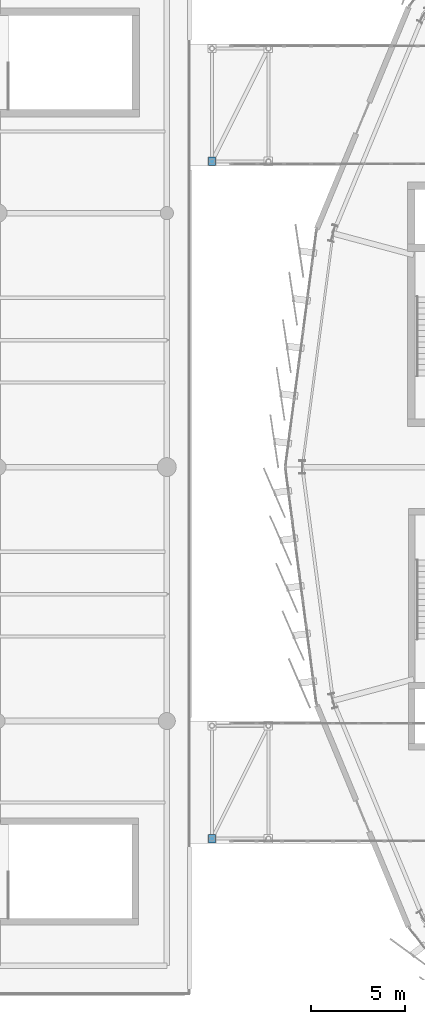
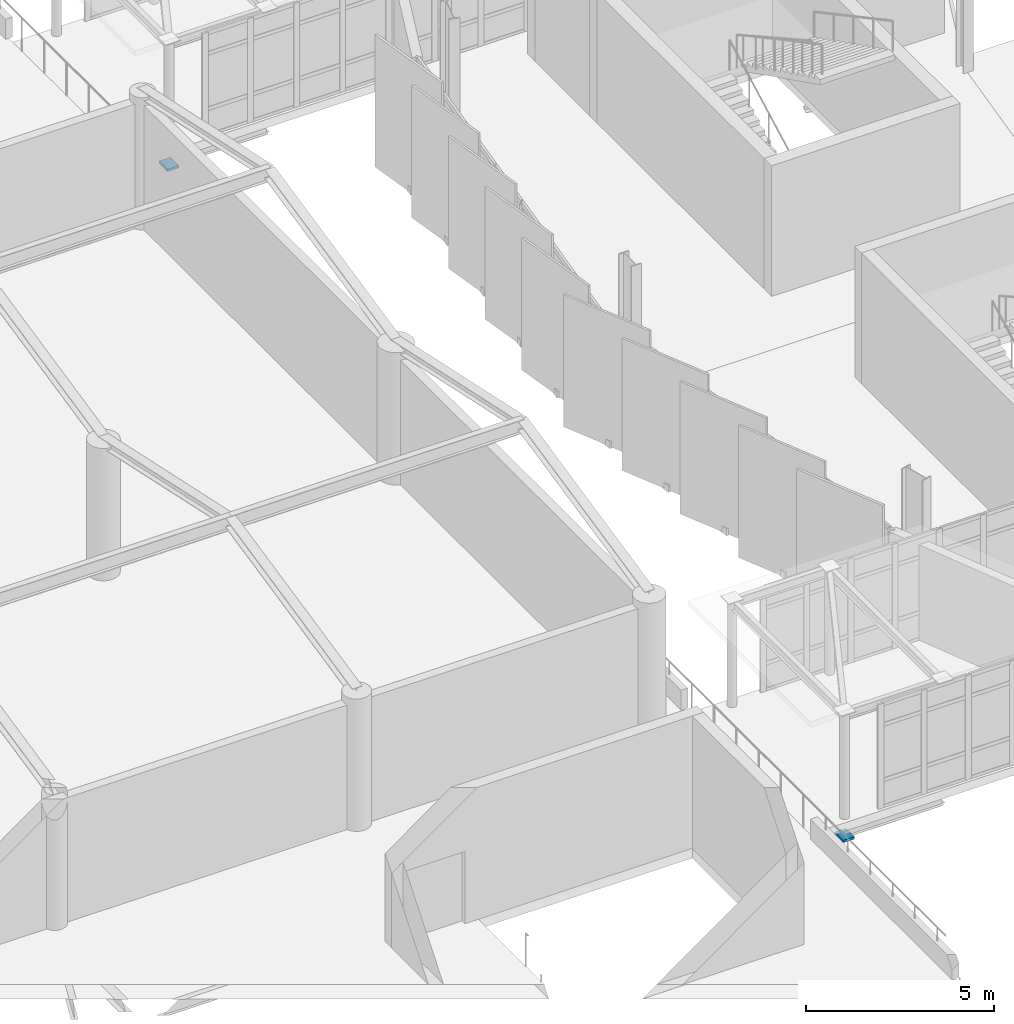
# One storey, part 110 of 120: 2 discrete accessories.
"""IFC4 building model written with IfcOpenShell, lengths in metres."""

from ifc_helpers import new_model, si_unit, direction, frame, origin, origin_2d, place, context, subcontext, project, spatial, rectangle, extrude, material, type_object, element, save


model = new_model("IFC4")

# Units and contexts
model_context = context("Model", 3, precision=1e-05, world=origin(), true_north=direction((0.0, 1.0)))
body_context = subcontext(model_context, "Body", "Model", "MODEL_VIEW")
ifc_project = project(units=[si_unit("LENGTHUNIT", "METRE"), si_unit("AREAUNIT", "SQUARE_METRE"), si_unit("VOLUMEUNIT", "CUBIC_METRE"), si_unit("PLANEANGLEUNIT", "RADIAN"), si_unit("MASSUNIT", "GRAM", prefix="KILO")], contexts=[model_context])

# Site, building, storey
site_placement = place(None, origin())
site = spatial("IfcSite", under=ifc_project, at=site_placement, CompositionType="ELEMENT")
building_placement = place(site_placement, origin())
building = spatial("IfcBuilding", under=site, at=building_placement, Name="Sohan Crest Arena", CompositionType="ELEMENT")
storey_placement = place(building_placement, frame((0.0, 0.0, 13.5)))
storey = spatial("IfcBuildingStorey", under=building, at=storey_placement, Name="L03", CompositionType="ELEMENT", Elevation=13.5)

# Discrete accessories
ifc_material = material(Name="Steel S355", Category="steel")
discrete_accessory_type = type_object("IfcDiscreteAccessoryType", Name="STR-ACC-SLB1", PredefinedType="USERDEFINED", material=ifc_material)
for number, where, z_axis, x_axis, name in (
    (1, (45.199951171875, 58.25, -0.655029296875), (0.0, 0.0, 1.0), (1.0, 0.0, 0.0), "Unguided PTFE sliding bridge bearing BR-W1"),
    (2, (45.199951171875, 94.25, -0.655029296875), (0.0, 0.0, 1.0), (1.0, 0.0, 0.0), "Unguided PTFE sliding bridge bearing BR-W2"),
):
    element("IfcDiscreteAccessory", number, at=place(storey_placement, frame(where, z_axis=z_axis, x_axis=x_axis)), inside=storey, type_object=discrete_accessory_type, Name=name, ObjectType="SLIDING BEARING", PredefinedType="USERDEFINED", context=body_context, shape_type="SweptSolid", body=[
        extrude(rectangle(XDim=0.35009765625, YDim=0.449951171875, at=origin_2d()), origin(), (0.0, 0.0, 1.0), 0.080078125),
    ])

save(model, "model.ifc")
